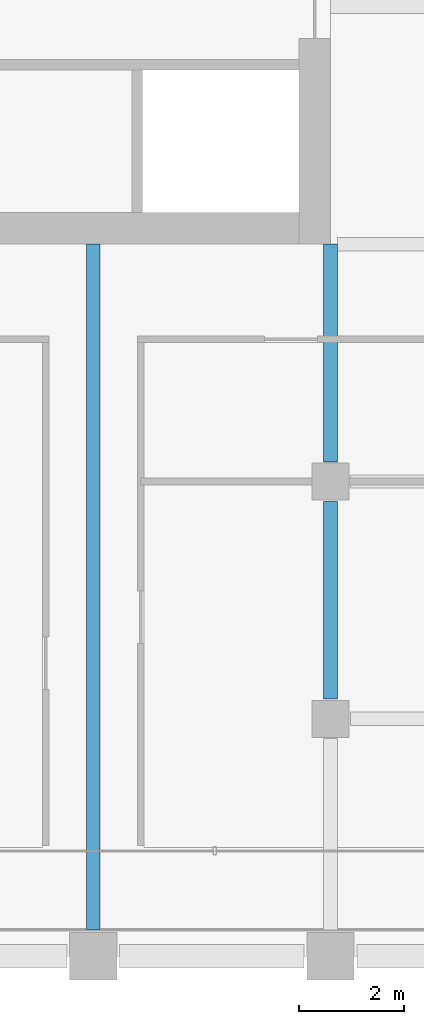
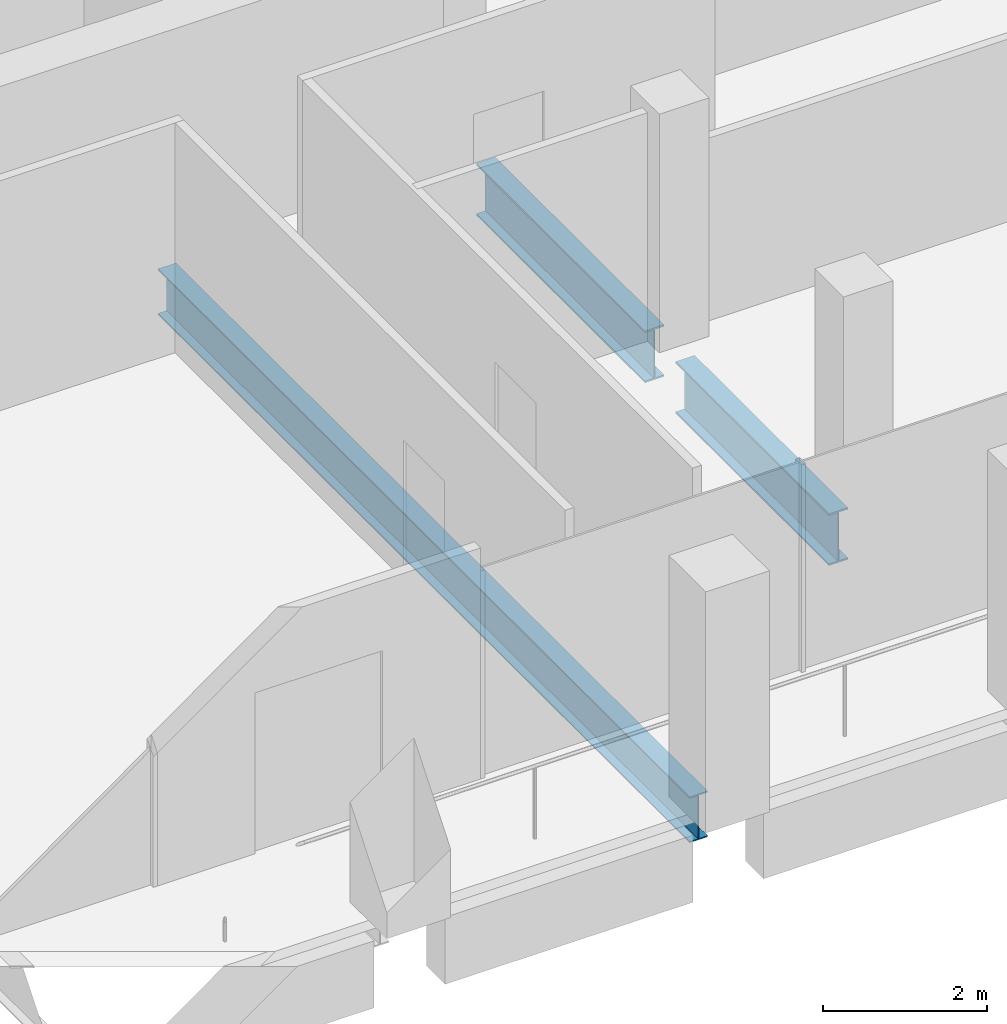
# One storey, part 10 of 44: 3 beams.
"""IFC4 building model written with IfcOpenShell, lengths in metres."""

from ifc_helpers import new_model, si_unit, direction, frame, origin, origin_2d, place, context, subcontext, project, spatial, i_section, extrude, material, material_profile, profile_set, type_object, element, save


model = new_model("IFC4")

# Units and contexts
model_context = context("Model", 3, precision=1e-05, world=origin(), true_north=direction((0.0, 1.0)))
body_context = subcontext(model_context, "Body", "Model", "MODEL_VIEW")
ifc_project = project(units=[si_unit("LENGTHUNIT", "METRE"), si_unit("AREAUNIT", "SQUARE_METRE"), si_unit("VOLUMEUNIT", "CUBIC_METRE"), si_unit("PLANEANGLEUNIT", "RADIAN"), si_unit("MASSUNIT", "GRAM", prefix="KILO")], contexts=[model_context])

# Site, building, storey
site_placement = place(None, origin())
site = spatial("IfcSite", under=ifc_project, at=site_placement, CompositionType="ELEMENT")
building_placement = place(site_placement, origin())
building = spatial("IfcBuilding", under=site, at=building_placement, Name="Altepetl Exchange Towers", CompositionType="ELEMENT")
storey_placement = place(building_placement, frame((0.0, 0.0, 143.800048828125)))
storey = spatial("IfcBuildingStorey", under=building, at=storey_placement, Name="L35", CompositionType="ELEMENT", Elevation=143.800048828125)

# Beams
ifc_material = material(Name="Steel S355", Category="steel")
ifc_material_profile_1 = material_profile(ifc_material, i_section(OverallWidth=0.25390625, OverallDepth=0.68408203125, WebThickness=0.012451171875, FlangeThickness=0.018798828125, at=origin_2d()), Name="W27X94")
ifc_profile_set_1 = profile_set([ifc_material_profile_1], Name="Steel S355")
beam_type_1 = type_object("IfcBeamType", Name="Floor beam W27X94", PredefinedType="BEAM", material=ifc_profile_set_1)
beam_1_placement = place(storey_placement, frame((54.0, 27.5, -0.491943359375), z_axis=(0.0, 1.0, 0.0), x_axis=(-1.0, 0.0, 0.0)))
element("IfcBeam", 1, at=beam_1_placement, inside=storey, type_object=beam_type_1, Name="bm:A:L35:017", PredefinedType="BEAM", context=body_context, shape_type="SweptSolid", body=[
    extrude(i_section(OverallWidth=0.25390625, OverallDepth=0.68408203125, WebThickness=0.012451171875, FlangeThickness=0.018798828125, at=origin_2d()), origin(), (0.0, 0.0, 1.0), 13.0),
])
ifc_material_profile_2 = material_profile(ifc_material, i_section(OverallWidth=0.26806640625, OverallDepth=0.77392578125, WebThickness=0.015380859375, FlangeThickness=0.025390625, at=origin_2d()), Name="W30X132")
ifc_profile_set_2 = profile_set([ifc_material_profile_2], Name="Steel S355")
beam_type_2 = type_object("IfcBeamType", Name="Girder W30X132", PredefinedType="BEAM", material=ifc_profile_set_2)
beam_2_placement = place(storey_placement, frame((58.5, 40.5, -0.537109375), z_axis=(0.0, -1.0, 0.0), x_axis=(1.0, 0.0, 0.0)))
element("IfcBeam", 2, at=beam_2_placement, inside=storey, type_object=beam_type_2, Name="gd:A:L35:003", PredefinedType="BEAM", context=body_context, shape_type="SweptSolid", body=[
    extrude(i_section(OverallWidth=0.26806640625, OverallDepth=0.77392578125, WebThickness=0.015380859375, FlangeThickness=0.025390625, at=origin_2d()), origin(), (0.0, 0.0, 1.0), 4.125),
])
beam_3_placement = place(storey_placement, frame((58.5, 35.625, -0.537109375), z_axis=(0.0, -1.0, 0.0), x_axis=(1.0, 0.0, 0.0)))
element("IfcBeam", 3, at=beam_3_placement, inside=storey, type_object=beam_type_2, Name="gd:A:L35:004", PredefinedType="BEAM", context=body_context, shape_type="SweptSolid", body=[
    extrude(i_section(OverallWidth=0.26806640625, OverallDepth=0.77392578125, WebThickness=0.015380859375, FlangeThickness=0.025390625, at=origin_2d()), origin(), (0.0, 0.0, 1.0), 3.75),
])

save(model, "model.ifc")
